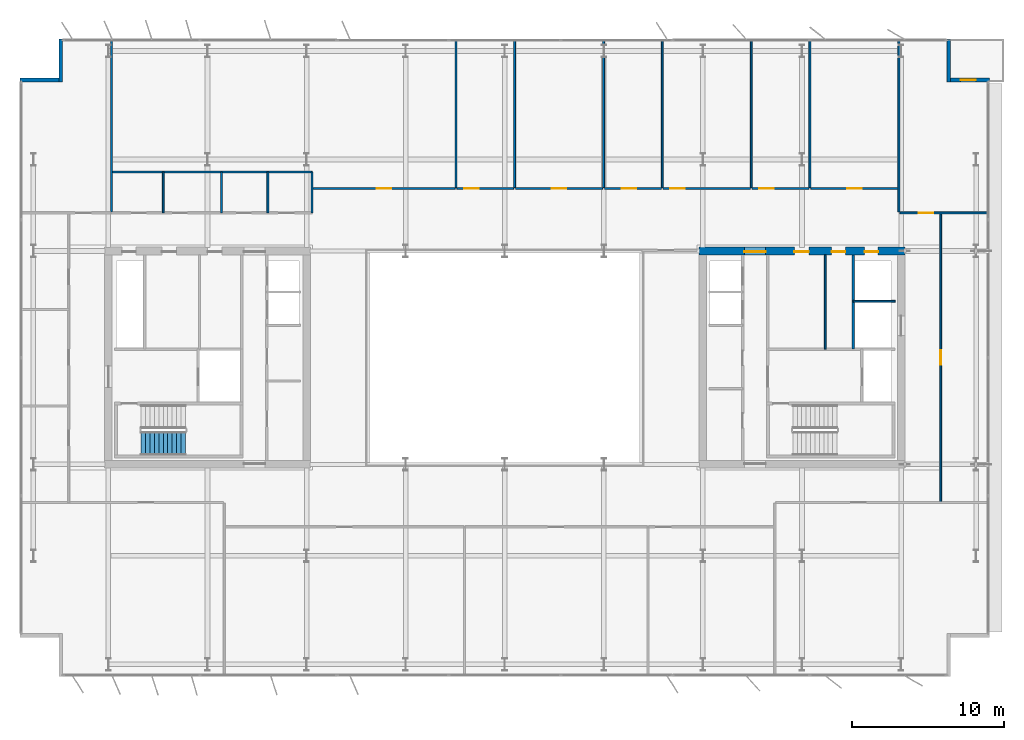
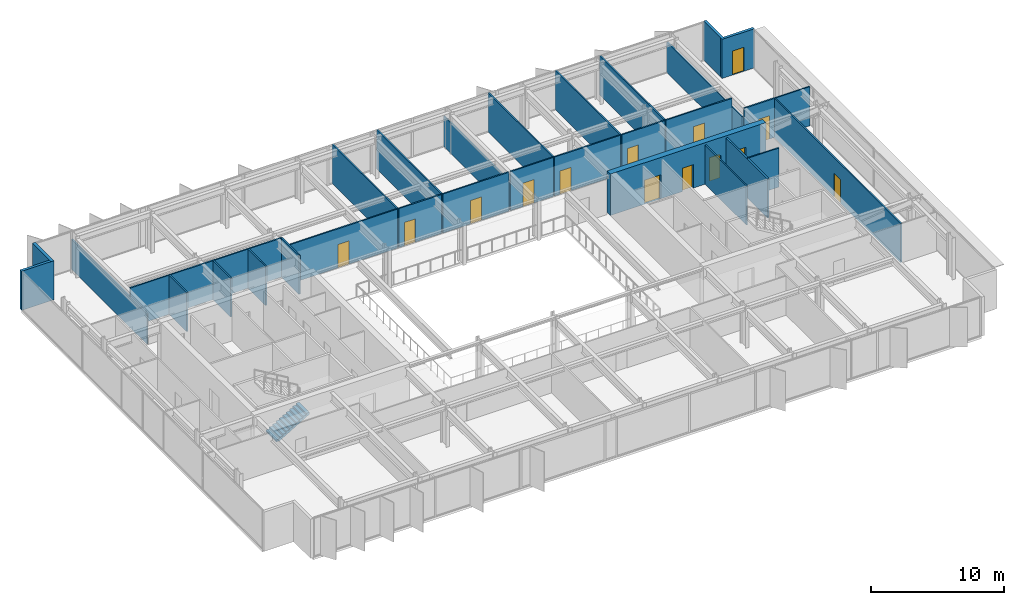
# One storey, part 13 of 19: 30 walls, 14 doors, 1 stair flight, 14 openings, 1 element without a shape of its own.
"""IFC4 building model written with IfcOpenShell, lengths in metres."""

from ifc_helpers import new_model, si_unit, direction, frame, frame_2d, origin, place, context, subcontext, project, spatial, polyline, rectangle, outline, extrude, material, layer, layer_set, type_object, element, fill, aggregate, save


model = new_model("IFC4")

# Units and contexts
model_context = context("Model", 3, precision=1e-05, world=origin(), true_north=direction((0.0, 1.0)))
body_context = subcontext(model_context, "Body", "Model", "MODEL_VIEW")
ifc_project = project(units=[si_unit("LENGTHUNIT", "METRE"), si_unit("AREAUNIT", "SQUARE_METRE"), si_unit("VOLUMEUNIT", "CUBIC_METRE"), si_unit("PLANEANGLEUNIT", "RADIAN"), si_unit("MASSUNIT", "GRAM", prefix="KILO")], contexts=[model_context])

# Site, building, storey
site_placement = place(None, origin())
site = spatial("IfcSite", under=ifc_project, at=site_placement, CompositionType="ELEMENT")
building_placement = place(site_placement, origin())
building = spatial("IfcBuilding", under=site, at=building_placement, Name="Putna Gate Headquarters", CompositionType="ELEMENT")
storey_placement = place(building_placement, frame((0.0, 0.0, 255.60009765625)))
storey = spatial("IfcBuildingStorey", under=building, at=storey_placement, Name="L64", CompositionType="ELEMENT", Elevation=255.60009765625)

# Wall, openings, doors
ifc_material_1 = material(Name="Concrete C50/60", Category="concrete")
ifc_layer_1 = layer(ifc_material_1, 0.5)
ifc_layer_set_1 = layer_set([ifc_layer_1], Name="Concrete C50/60")
wall_type_1 = type_object("IfcWallType", Name="WALL-CORE-500", PredefinedType="SHEAR", material=ifc_layer_set_1)
wall_1_placement = place(storey_placement, frame((51.75, 33.0, 0.0), z_axis=(0.0, 0.0, 1.0), x_axis=(1.0, 0.0, 0.0)))
wall_1 = element("IfcWall", 1, at=wall_1_placement, inside=storey, type_object=wall_type_1, Name="L64 EC Split Core Shear Wall N", PredefinedType="SHEAR", context=body_context, shape_type="SweptSolid", body=[
    extrude(rectangle(XDim=13.5, YDim=0.5, at=frame_2d((6.75, 0.0))), origin(), (0.0, 0.0, 1.0), 3.7998046875),
])
opening_1_placement = place(wall_1_placement, frame((2.969970703125, 0.0, 0.0)))
opening_1 = element("IfcOpeningElement", 2, at=opening_1_placement, cuts=wall_1, Name="Opening FDD-140", PredefinedType="OPENING", context=body_context, shape_type="SweptSolid", body=[
    extrude(rectangle(XDim=1.39990234375, YDim=2.199951171875, at=frame_2d((0.699951171875, 1.10009765625))), frame((0.0, 0.260009765625, 0.0), z_axis=(0.0, -1.0, 0.0), x_axis=(1.0, 0.0, 0.0)), (0.0, 0.0, 1.0), 0.52001953125),
])
opening_2_placement = place(wall_1_placement, frame((10.85009765625, 0.0, 0.0)))
opening_2 = element("IfcOpeningElement", 3, at=opening_2_placement, cuts=wall_1, Name="Opening RD-90", PredefinedType="OPENING", context=body_context, shape_type="SweptSolid", body=[
    extrude(rectangle(XDim=0.89990234375, YDim=2.14990234375, at=frame_2d((0.449951171875, 1.074951171875))), frame((0.0, 0.260009765625, 0.0), z_axis=(0.0, -1.0, 0.0), x_axis=(1.0, 0.0, 0.0)), (0.0, 0.0, 1.0), 0.52001953125),
])
opening_3_placement = place(wall_1_placement, frame((6.25, 0.0, 0.0)))
opening_3 = element("IfcOpeningElement", 4, at=opening_3_placement, cuts=wall_1, Name="Opening IDS-95", PredefinedType="OPENING", context=body_context, shape_type="SweptSolid", body=[
    extrude(rectangle(XDim=0.949951171875, YDim=2.14990234375, at=frame_2d((0.47509765625, 1.074951171875))), frame((0.0, 0.260009765625, 0.0), z_axis=(0.0, -1.0, 0.0), x_axis=(1.0, 0.0, 0.0)), (0.0, 0.0, 1.0), 0.52001953125),
])
opening_4_placement = place(wall_1_placement, frame((8.699951171875, 0.0, 0.0)))
opening_4 = element("IfcOpeningElement", 5, at=opening_4_placement, cuts=wall_1, Name="Opening IDS-90", PredefinedType="OPENING", context=body_context, shape_type="SweptSolid", body=[
    extrude(rectangle(XDim=0.89990234375, YDim=2.14990234375, at=frame_2d((0.449951171875, 1.074951171875))), frame((0.0, 0.260009765625, 0.0), z_axis=(0.0, -1.0, 0.0), x_axis=(1.0, 0.0, 0.0)), (0.0, 0.0, 1.0), 0.52001953125),
])
ifc_material_2 = material(Name="Double steel fire door", Category="steel")
door_type_1 = type_object("IfcDoorType", Name="DOOR-FIRE-DBL-1400", OperationType="DOUBLE_DOOR_SINGLE_SWING", PredefinedType="DOOR", material=ifc_material_2)
door_1_placement = place(opening_1_placement, origin())
door_1 = element("IfcDoor", 6, at=door_1_placement, inside=storey, type_object=door_type_1, Name="L64 East Lift Lobby North Door", OperationType="DOUBLE_DOOR_SINGLE_SWING", OverallHeight=2.199951171875, OverallWidth=1.39990234375, PredefinedType="DOOR", context=body_context, shape_type="SweptSolid", body=[
    extrude(rectangle(XDim=1.39990234375, YDim=2.199951171875, at=frame_2d((0.699951171875, 1.10009765625))), frame((0.0, -0.02490234375, 0.0), z_axis=(0.0, -1.0, 0.0), x_axis=(1.0, 0.0, 0.0)), (0.0, 0.0, 1.0), 0.050048828125),
])
fill(opening_1, door_1)
ifc_material_3 = material(Name="Fire-rated utility door")
door_type_2 = type_object("IfcDoorType", Name="DOOR-INT-900", OperationType="NOTDEFINED", PredefinedType="DOOR", material=ifc_material_3)
door_2_placement = place(opening_4_placement, origin())
door_2 = element("IfcDoor", 7, at=door_2_placement, inside=storey, type_object=door_type_2, Name="L64 Electrical Plant Door", OperationType="SINGLE_SWING_LEFT", OverallHeight=2.14990234375, OverallWidth=0.89990234375, PredefinedType="DOOR", context=body_context, shape_type="SweptSolid", body=[
    extrude(rectangle(XDim=0.89990234375, YDim=2.14990234375, at=frame_2d((0.449951171875, 1.074951171875))), frame((0.0, -0.02490234375, 0.0), z_axis=(0.0, -1.0, 0.0), x_axis=(1.0, 0.0, 0.0)), (0.0, 0.0, 1.0), 0.050048828125),
])
fill(opening_4, door_2)
ifc_material_4 = material(Name="Fire-rated service timber door", Category="wood")
door_type_3 = type_object("IfcDoorType", Name="DOOR-INT-950", OperationType="NOTDEFINED", PredefinedType="DOOR", material=ifc_material_4)
door_3_placement = place(opening_3_placement, origin())
door_3 = element("IfcDoor", 8, at=door_3_placement, inside=storey, type_object=door_type_3, Name="L64 East Store Door", OperationType="SINGLE_SWING_RIGHT", OverallHeight=2.14990234375, OverallWidth=0.949951171875, PredefinedType="DOOR", context=body_context, shape_type="SweptSolid", body=[
    extrude(rectangle(XDim=0.949951171875, YDim=2.14990234375, at=frame_2d((0.47509765625, 1.074951171875))), frame((0.0, -0.02490234375, 0.0), z_axis=(0.0, -1.0, 0.0), x_axis=(1.0, 0.0, 0.0)), (0.0, 0.0, 1.0), 0.050048828125),
])
fill(opening_3, door_3)
ifc_material_5 = material(Name="Steel riser access fire door", Category="steel")
door_type_4 = type_object("IfcDoorType", Name="DOOR-RISER-900", OperationType="NOTDEFINED", PredefinedType="DOOR", material=ifc_material_5)
door_4_placement = place(opening_2_placement, origin())
door_4 = element("IfcDoor", 9, at=door_4_placement, inside=storey, type_object=door_type_4, Name="L64 East Riser Access Door", OperationType="SINGLE_SWING_LEFT", OverallHeight=2.14990234375, OverallWidth=0.89990234375, PredefinedType="DOOR", context=body_context, shape_type="SweptSolid", body=[
    extrude(rectangle(XDim=0.89990234375, YDim=2.14990234375, at=frame_2d((0.449951171875, 1.074951171875))), frame((0.0, -0.02490234375, 0.0), z_axis=(0.0, -1.0, 0.0), x_axis=(1.0, 0.0, 0.0)), (0.0, 0.0, 1.0), 0.050048828125),
])
fill(opening_2, door_4)

# Walls
ifc_material_6 = material(Name="Precast concrete C40/50", Category="concrete")
ifc_layer_2 = layer(ifc_material_6, 0.239990234375)
ifc_layer_set_2 = layer_set([ifc_layer_2], Name="Precast concrete C40/50")
wall_type_2 = type_object("IfcWallType", Name="WALL-EXT-TERR-240", PredefinedType="STANDARD", material=ifc_layer_set_2)
wall_2_placement = place(storey_placement, frame((9.8798828125, 44.10009765625, 0.0), z_axis=(0.0, 0.0, 1.0), x_axis=(0.0, 1.0, 0.0)))
element("IfcWall", 10, at=wall_2_placement, inside=storey, type_object=wall_type_2, Name="L64 Corner Notch Return Wall NW-V", PredefinedType="STANDARD", context=body_context, shape_type="SweptSolid", body=[
    extrude(rectangle(XDim=2.7998046875, YDim=0.239990234375, at=frame_2d((1.39990234375, 0.0))), origin(), (0.0, 0.0, 1.0), 3.587890625),
])
wall_3_placement = place(storey_placement, frame((7.199951171875, 44.219970703125, 0.0), z_axis=(0.0, 0.0, 1.0), x_axis=(1.0, 0.0, 0.0)))
element("IfcWall", 11, at=wall_3_placement, inside=storey, type_object=wall_type_2, Name="L64 Corner Notch Return Wall NW-H", PredefinedType="STANDARD", context=body_context, shape_type="SweptSolid", body=[
    extrude(rectangle(XDim=2.800048828125, YDim=0.239990234375, at=frame_2d((1.39990234375, 0.0))), origin(), (0.0, 0.0, 1.0), 3.587890625),
])
wall_4_placement = place(storey_placement, frame((68.1201171875, 46.89990234375, 0.0), z_axis=(0.0, 0.0, 1.0), x_axis=(0.0, -1.0, 0.0)))
element("IfcWall", 12, at=wall_4_placement, inside=storey, type_object=wall_type_2, Name="L64 Corner Notch Return Wall NE-V", PredefinedType="STANDARD", context=body_context, shape_type="SweptSolid", body=[
    extrude(rectangle(XDim=2.7998046875, YDim=0.239990234375, at=frame_2d((1.39990234375, 0.0))), origin(), (0.0, 0.0, 1.0), 3.587890625),
])

# Wall, opening, door
wall_5_placement = place(storey_placement, frame((68.0, 44.219970703125, 0.0), z_axis=(0.0, 0.0, 1.0), x_axis=(1.0, 0.0, 0.0)))
wall_5 = element("IfcWall", 13, at=wall_5_placement, inside=storey, type_object=wall_type_2, Name="L64 Corner Notch Return Wall NE-H", PredefinedType="STANDARD", context=body_context, shape_type="SweptSolid", body=[
    extrude(rectangle(XDim=2.800048828125, YDim=0.239990234375, at=frame_2d((1.39990234375, 0.0))), origin(), (0.0, 0.0, 1.0), 3.587890625),
])
opening_5_placement = place(wall_5_placement, frame((0.89990234375, 0.0, 0.0)))
opening_5 = element("IfcOpeningElement", 14, at=opening_5_placement, cuts=wall_5, Name="Opening TRD-1", PredefinedType="OPENING", context=body_context, shape_type="SweptSolid", body=[
    extrude(rectangle(XDim=1.0, YDim=2.199951171875, at=frame_2d((0.5, 1.10009765625))), frame((0.0, 0.1298828125, 0.0), z_axis=(0.0, -1.0, 0.0), x_axis=(1.0, 0.0, 0.0)), (0.0, 0.0, 1.0), 0.260009765625),
])
ifc_material_7 = material(Name="Thermally broken bronze glazed terrace door")
door_type_5 = type_object("IfcDoorType", Name="DOOR-TERR-EXT-1000", OperationType="NOTDEFINED", PredefinedType="DOOR", material=ifc_material_7)
door_5_placement = place(opening_5_placement, origin())
door_5 = element("IfcDoor", 15, at=door_5_placement, inside=storey, type_object=door_type_5, Name="L64 Spiral Sky Terrace Door NE", OperationType="SINGLE_SWING_LEFT", OverallHeight=2.199951171875, OverallWidth=1.0, PredefinedType="DOOR", context=body_context, shape_type="SweptSolid", body=[
    extrude(rectangle(XDim=1.0, YDim=2.199951171875, at=frame_2d((0.5, 1.10009765625))), frame((0.0, 0.02490234375, 0.0), z_axis=(0.0, -1.0, 0.0), x_axis=(1.0, 0.0, 0.0)), (0.0, 0.0, 1.0), 0.050048828125),
])
fill(opening_5, door_5)

# Walls
ifc_material_8 = material(Name="Acoustic gypsum board on metal stud")
ifc_layer_3 = layer(ifc_material_8, 0.1201171875)
ifc_layer_set_3 = layer_set([ifc_layer_3], Name="Acoustic gypsum board on metal stud")
wall_type_3 = type_object("IfcWallType", Name="WALL-PART-120", PredefinedType="PARTITIONING", material=ifc_layer_set_3)
wall_6_placement = place(storey_placement, frame((13.199951171875, 35.56005859375, 0.0), z_axis=(0.0, 0.0, 1.0), x_axis=(0.0, 1.0, 0.0)))
element("IfcWall", 16, at=wall_6_placement, inside=storey, type_object=wall_type_3, Name="L64 Interior Wall PART-L64-NB-DIV-01", PredefinedType="PARTITIONING", context=body_context, shape_type="SweptSolid", body=[
    extrude(rectangle(XDim=11.31982421875, YDim=0.1201171875, at=frame_2d((5.659912109375, 0.0))), origin(), (0.0, 0.0, 1.0), 2.787841796875),
])
for number, where, z_axis, x_axis, name in (
    (17, (35.800048828125, 37.159912109375, 0.0), (0.0, 0.0, 1.0), (0.0, 1.0, 0.0), "L64 Interior Wall PART-L64-NB-DIV-02"),
    (18, (39.645263671875, 37.159912109375, 0.0), (0.0, 0.0, 1.0), (0.0, 1.0, 0.0), "L64 Interior Wall PART-L64-NB-DIV-03"),
):
    element("IfcWall", number, at=place(storey_placement, frame(where, z_axis=z_axis, x_axis=x_axis)), inside=storey, type_object=wall_type_3, Name=name, PredefinedType="PARTITIONING", context=body_context, shape_type="SweptSolid", body=[
        extrude(rectangle(XDim=9.719970703125, YDim=0.1201171875, at=frame_2d((4.85986328125, 0.0))), origin(), (0.0, 0.0, 1.0), 3.587890625),
    ])
wall_7_placement = place(storey_placement, frame((45.484130859375, 37.159912109375, 0.0), z_axis=(0.0, 0.0, 1.0), x_axis=(0.0, 1.0, 0.0)))
element("IfcWall", 19, at=wall_7_placement, inside=storey, type_object=wall_type_3, Name="L64 Interior Wall PART-L64-NB-DIV-04", PredefinedType="PARTITIONING", context=body_context, shape_type="SweptSolid", body=[
    extrude(rectangle(XDim=9.719970703125, YDim=0.1201171875, at=frame_2d((4.85986328125, 0.0))), origin(), (0.0, 0.0, 1.0), 2.787841796875),
])
for number, where, z_axis, x_axis, name in (
    (20, (49.3291015625, 37.159912109375, 0.0), (0.0, 0.0, 1.0), (0.0, 1.0, 0.0), "L64 Interior Wall PART-L64-NB-DIV-05"),
    (21, (55.168212890625, 37.159912109375, 0.0), (0.0, 0.0, 1.0), (0.0, 1.0, 0.0), "L64 Interior Wall PART-L64-NB-DIV-06"),
    (22, (59.01318359375, 37.159912109375, 0.0), (0.0, 0.0, 1.0), (0.0, 1.0, 0.0), "L64 Interior Wall PART-L64-NB-DIV-07"),
):
    element("IfcWall", number, at=place(storey_placement, frame(where, z_axis=z_axis, x_axis=x_axis)), inside=storey, type_object=wall_type_3, Name=name, PredefinedType="PARTITIONING", context=body_context, shape_type="SweptSolid", body=[
        extrude(rectangle(XDim=9.719970703125, YDim=0.1201171875, at=frame_2d((4.85986328125, 0.0))), origin(), (0.0, 0.0, 1.0), 3.587890625),
    ])
wall_8_placement = place(storey_placement, frame((64.852294921875, 35.56005859375, 0.0), z_axis=(0.0, 0.0, 1.0), x_axis=(0.0, 1.0, 0.0)))
element("IfcWall", 23, at=wall_8_placement, inside=storey, type_object=wall_type_3, Name="L64 Interior Wall PART-L64-NB-DIV-08", PredefinedType="PARTITIONING", context=body_context, shape_type="SweptSolid", body=[
    extrude(rectangle(XDim=11.31982421875, YDim=0.1201171875, at=frame_2d((5.659912109375, 0.0))), origin(), (0.0, 0.0, 1.0), 2.787841796875),
])
ifc_material_9 = material(Name="Fire-rated shaftwall gypsum board on metal stud")
ifc_layer_4 = layer(ifc_material_9, 0.1201171875)
ifc_layer_set_4 = layer_set([ifc_layer_4], Name="Fire-rated shaftwall gypsum board on metal stud")
wall_type_4 = type_object("IfcWallType", Name="WALL-PART-120-EI120", PredefinedType="PARTITIONING", material=ifc_layer_set_4)
wall_9_placement = place(storey_placement, frame((61.8701171875, 29.699951171875, 0.0), z_axis=(0.0, 0.0, 1.0), x_axis=(1.0, 0.0, 0.0)))
element("IfcWall", 24, at=wall_9_placement, inside=storey, type_object=wall_type_4, Name="L64 Interior Wall CWINT-L64-EC-LF15-N", PredefinedType="PARTITIONING", context=body_context, shape_type="SweptSolid", body=[
    extrude(rectangle(XDim=2.72998046875, YDim=0.1201171875, at=frame_2d((1.364990234375, 0.0))), origin(), (0.0, 0.0, 1.0), 3.587890625),
])
ifc_material_10 = material(Name="Fire-rated gypsum board on metal stud")
ifc_layer_5 = layer(ifc_material_10, 0.1201171875)
ifc_layer_set_5 = layer_set([ifc_layer_5], Name="Fire-rated gypsum board on metal stud")
wall_type_5 = type_object("IfcWallType", Name="WALL-PART-120-RATED", PredefinedType="PARTITIONING", material=ifc_layer_set_5)
wall_10_placement = place(storey_placement, frame((60.02001953125, 26.56005859375, 0.0), z_axis=(0.0, 0.0, 1.0), x_axis=(0.0, 1.0, 0.0)))
element("IfcWall", 25, at=wall_10_placement, inside=storey, type_object=wall_type_5, Name="L64 Interior Wall CWINT-L64-EC-K0-DIV", PredefinedType="PARTITIONING", context=body_context, shape_type="SweptSolid", body=[
    extrude(rectangle(XDim=6.18994140625, YDim=0.1201171875, at=frame_2d((3.094970703125, 0.0))), origin(), (0.0, 0.0, 1.0), 3.587890625),
])
wall_11_placement = place(storey_placement, frame((13.199951171875, 38.179931640625, 0.0), z_axis=(0.0, 0.0, 1.0), x_axis=(1.0, 0.0, 0.0)))
element("IfcWall", 26, at=wall_11_placement, inside=storey, type_object=wall_type_5, Name="L64 Interior Wall PART-L64-SAN-BACK", PredefinedType="PARTITIONING", context=body_context, shape_type="SweptSolid", body=[
    extrude(rectangle(XDim=13.16015625, YDim=0.1201171875, at=frame_2d((6.580078125, 0.0))), origin(), (0.0, 0.0, 1.0), 3.587890625),
])
for number, where, z_axis, x_axis, name in (
    (27, (16.60009765625, 35.5, 0.0), (0.0, 0.0, 1.0), (0.0, 1.0, 0.0), "L64 Interior Wall PART-L64-SAN-DIV-1"),
    (28, (20.419921875, 35.5, 0.0), (0.0, 0.0, 1.0), (0.0, 1.0, 0.0), "L64 Interior Wall PART-L64-SAN-DIV-2"),
    (29, (23.4599609375, 35.5, 0.0), (0.0, 0.0, 1.0), (0.0, 1.0, 0.0), "L64 Interior Wall PART-L64-SAN-DIV-3"),
    (30, (26.360107421875, 35.5, 0.0), (0.0, 0.0, 1.0), (0.0, 1.0, 0.0), "L64 Interior Wall PART-L64-SAN-DIV-4"),
):
    element("IfcWall", number, at=place(storey_placement, frame(where, z_axis=z_axis, x_axis=x_axis)), inside=storey, type_object=wall_type_5, Name=name, PredefinedType="PARTITIONING", context=body_context, shape_type="SweptSolid", body=[
        extrude(rectangle(XDim=2.679931640625, YDim=0.1201171875, at=frame_2d((1.33984375, 0.0))), origin(), (0.0, 0.0, 1.0), 3.587890625),
    ])

# Wall, opening, door
wall_12_placement = place(storey_placement, frame((26.419921875, 37.10009765625, 0.0), z_axis=(0.0, 0.0, 1.0), x_axis=(1.0, 0.0, 0.0)))
wall_12 = element("IfcWall", 31, at=wall_12_placement, inside=storey, type_object=wall_type_5, Name="L64 Interior Wall PART-L64-NB-CW-02", PredefinedType="PARTITIONING", context=body_context, shape_type="SweptSolid", body=[
    extrude(rectangle(XDim=9.320068359375, YDim=0.1201171875, at=frame_2d((4.66015625, 0.0))), origin(), (0.0, 0.0, 1.0), 3.587890625),
])
opening_6_placement = place(wall_12_placement, frame((4.18505859375, 0.0, 0.0)))
opening_6 = element("IfcOpeningElement", 32, at=opening_6_placement, cuts=wall_12, Name="Opening FD-95", PredefinedType="OPENING", context=body_context, shape_type="SweptSolid", body=[
    extrude(rectangle(XDim=0.949951171875, YDim=2.14990234375, at=frame_2d((0.47509765625, 1.074951171875))), frame((0.0, 0.070068359375, 0.0), z_axis=(0.0, -1.0, 0.0), x_axis=(1.0, 0.0, 0.0)), (0.0, 0.0, 1.0), 0.14013671875),
])
ifc_material_11 = material(Name="Acoustic timber fire door", Category="wood")
door_type_6 = type_object("IfcDoorType", Name="DOOR-FIRE-950", OperationType="NOTDEFINED", PredefinedType="DOOR", material=ifc_material_11)
door_6_placement = place(opening_6_placement, origin())
door_6 = element("IfcDoor", 33, at=door_6_placement, inside=storey, type_object=door_type_6, Name="L64 Primary Open Office Workplace Door", OperationType="SINGLE_SWING_LEFT", OverallHeight=2.14990234375, OverallWidth=0.949951171875, PredefinedType="DOOR", context=body_context, shape_type="SweptSolid", body=[
    extrude(rectangle(XDim=0.949951171875, YDim=2.14990234375, at=frame_2d((0.47509765625, 1.074951171875))), frame((0.0, 0.02490234375, 0.0), z_axis=(0.0, -1.0, 0.0), x_axis=(1.0, 0.0, 0.0)), (0.0, 0.0, 1.0), 0.050048828125),
])
fill(opening_6, door_6)

wall_13_placement = place(storey_placement, frame((35.860107421875, 37.10009765625, 0.0), z_axis=(0.0, 0.0, 1.0), x_axis=(1.0, 0.0, 0.0)))
wall_13 = element("IfcWall", 34, at=wall_13_placement, inside=storey, type_object=wall_type_5, Name="L64 Interior Wall PART-L64-NB-CW-03", PredefinedType="PARTITIONING", context=body_context, shape_type="SweptSolid", body=[
    extrude(rectangle(XDim=3.72509765625, YDim=0.1201171875, at=frame_2d((1.862548828125, 0.0))), origin(), (0.0, 0.0, 1.0), 3.587890625),
])
opening_7_placement = place(wall_13_placement, frame((0.47998046875, 0.0, 0.0)))
opening_7 = element("IfcOpeningElement", 35, at=opening_7_placement, cuts=wall_13, Name="Opening FD-95", PredefinedType="OPENING", context=body_context, shape_type="SweptSolid", body=[
    extrude(rectangle(XDim=0.949951171875, YDim=2.14990234375, at=frame_2d((0.47509765625, 1.074951171875))), frame((0.0, 0.070068359375, 0.0), z_axis=(0.0, -1.0, 0.0), x_axis=(1.0, 0.0, 0.0)), (0.0, 0.0, 1.0), 0.14013671875),
])
door_7_placement = place(opening_7_placement, origin())
door_7 = element("IfcDoor", 36, at=door_7_placement, inside=storey, type_object=door_type_6, Name="L64 Quiet Wellness Focus Studio 2 Door", OperationType="SINGLE_SWING_RIGHT", OverallHeight=2.14990234375, OverallWidth=0.949951171875, PredefinedType="DOOR", context=body_context, shape_type="SweptSolid", body=[
    extrude(rectangle(XDim=0.949951171875, YDim=2.14990234375, at=frame_2d((0.47509765625, 1.074951171875))), frame((0.0, 0.02490234375, 0.0), z_axis=(0.0, -1.0, 0.0), x_axis=(1.0, 0.0, 0.0)), (0.0, 0.0, 1.0), 0.050048828125),
])
fill(opening_7, door_7)

wall_14_placement = place(storey_placement, frame((39.705078125, 37.10009765625, 0.0), z_axis=(0.0, 0.0, 1.0), x_axis=(1.0, 0.0, 0.0)))
wall_14 = element("IfcWall", 37, at=wall_14_placement, inside=storey, type_object=wall_type_5, Name="L64 Interior Wall PART-L64-NB-CW-04", PredefinedType="PARTITIONING", context=body_context, shape_type="SweptSolid", body=[
    extrude(rectangle(XDim=5.718994140625, YDim=0.1201171875, at=frame_2d((2.859375, 0.0))), origin(), (0.0, 0.0, 1.0), 3.587890625),
])
opening_8_placement = place(wall_14_placement, frame((2.384521484375, 0.0, 0.0)))
opening_8 = element("IfcOpeningElement", 38, at=opening_8_placement, cuts=wall_14, Name="Opening FD-95", PredefinedType="OPENING", context=body_context, shape_type="SweptSolid", body=[
    extrude(rectangle(XDim=0.949951171875, YDim=2.14990234375, at=frame_2d((0.47509765625, 1.074951171875))), frame((0.0, 0.070068359375, 0.0), z_axis=(0.0, -1.0, 0.0), x_axis=(1.0, 0.0, 0.0)), (0.0, 0.0, 1.0), 0.14013671875),
])
door_8_placement = place(opening_8_placement, origin())
door_8 = element("IfcDoor", 39, at=door_8_placement, inside=storey, type_object=door_type_6, Name="L64 Cellular Office 1 Door", OperationType="SINGLE_SWING_LEFT", OverallHeight=2.14990234375, OverallWidth=0.949951171875, PredefinedType="DOOR", context=body_context, shape_type="SweptSolid", body=[
    extrude(rectangle(XDim=0.949951171875, YDim=2.14990234375, at=frame_2d((0.47509765625, 1.074951171875))), frame((0.0, 0.02490234375, 0.0), z_axis=(0.0, -1.0, 0.0), x_axis=(1.0, 0.0, 0.0)), (0.0, 0.0, 1.0), 0.050048828125),
])
fill(opening_8, door_8)

wall_15_placement = place(storey_placement, frame((45.544189453125, 37.10009765625, 0.0), z_axis=(0.0, 0.0, 1.0), x_axis=(1.0, 0.0, 0.0)))
wall_15 = element("IfcWall", 40, at=wall_15_placement, inside=storey, type_object=wall_type_5, Name="L64 Interior Wall PART-L64-NB-CW-05", PredefinedType="PARTITIONING", context=body_context, shape_type="SweptSolid", body=[
    extrude(rectangle(XDim=3.72509765625, YDim=0.1201171875, at=frame_2d((1.862548828125, 0.0))), origin(), (0.0, 0.0, 1.0), 3.587890625),
])
opening_9_placement = place(wall_15_placement, frame((1.117431640625, 0.0, 0.0)))
opening_9 = element("IfcOpeningElement", 41, at=opening_9_placement, cuts=wall_15, Name="Opening FD-95", PredefinedType="OPENING", context=body_context, shape_type="SweptSolid", body=[
    extrude(rectangle(XDim=0.949951171875, YDim=2.14990234375, at=frame_2d((0.47509765625, 1.074951171875))), frame((0.0, 0.070068359375, 0.0), z_axis=(0.0, -1.0, 0.0), x_axis=(1.0, 0.0, 0.0)), (0.0, 0.0, 1.0), 0.14013671875),
])
door_9_placement = place(opening_9_placement, origin())
door_9 = element("IfcDoor", 42, at=door_9_placement, inside=storey, type_object=door_type_6, Name="L64 Cellular Office 2 Door", OperationType="SINGLE_SWING_RIGHT", OverallHeight=2.14990234375, OverallWidth=0.949951171875, PredefinedType="DOOR", context=body_context, shape_type="SweptSolid", body=[
    extrude(rectangle(XDim=0.949951171875, YDim=2.14990234375, at=frame_2d((0.47509765625, 1.074951171875))), frame((0.0, 0.02490234375, 0.0), z_axis=(0.0, -1.0, 0.0), x_axis=(1.0, 0.0, 0.0)), (0.0, 0.0, 1.0), 0.050048828125),
])
fill(opening_9, door_9)

wall_16_placement = place(storey_placement, frame((49.38916015625, 37.10009765625, 0.0), z_axis=(0.0, 0.0, 1.0), x_axis=(1.0, 0.0, 0.0)))
wall_16 = element("IfcWall", 43, at=wall_16_placement, inside=storey, type_object=wall_type_5, Name="L64 Interior Wall PART-L64-NB-CW-06", PredefinedType="PARTITIONING", context=body_context, shape_type="SweptSolid", body=[
    extrude(rectangle(XDim=5.718994140625, YDim=0.1201171875, at=frame_2d((2.859375, 0.0))), origin(), (0.0, 0.0, 1.0), 3.587890625),
])
opening_10_placement = place(wall_16_placement, frame((0.47998046875, 0.0, 0.0)))
opening_10 = element("IfcOpeningElement", 44, at=opening_10_placement, cuts=wall_16, Name="Opening FD-95", PredefinedType="OPENING", context=body_context, shape_type="SweptSolid", body=[
    extrude(rectangle(XDim=0.949951171875, YDim=2.14990234375, at=frame_2d((0.47509765625, 1.074951171875))), frame((0.0, 0.070068359375, 0.0), z_axis=(0.0, -1.0, 0.0), x_axis=(1.0, 0.0, 0.0)), (0.0, 0.0, 1.0), 0.14013671875),
])
door_10_placement = place(opening_10_placement, origin())
door_10 = element("IfcDoor", 45, at=door_10_placement, inside=storey, type_object=door_type_6, Name="L64 Cellular Office 3 Door", OperationType="SINGLE_SWING_LEFT", OverallHeight=2.14990234375, OverallWidth=0.949951171875, PredefinedType="DOOR", context=body_context, shape_type="SweptSolid", body=[
    extrude(rectangle(XDim=0.949951171875, YDim=2.14990234375, at=frame_2d((0.47509765625, 1.074951171875))), frame((0.0, 0.02490234375, 0.0), z_axis=(0.0, -1.0, 0.0), x_axis=(1.0, 0.0, 0.0)), (0.0, 0.0, 1.0), 0.050048828125),
])
fill(opening_10, door_10)

wall_17_placement = place(storey_placement, frame((55.228271484375, 37.10009765625, 0.0), z_axis=(0.0, 0.0, 1.0), x_axis=(1.0, 0.0, 0.0)))
wall_17 = element("IfcWall", 46, at=wall_17_placement, inside=storey, type_object=wall_type_5, Name="L64 Interior Wall PART-L64-NB-CW-07", PredefinedType="PARTITIONING", context=body_context, shape_type="SweptSolid", body=[
    extrude(rectangle(XDim=3.72509765625, YDim=0.1201171875, at=frame_2d((1.862548828125, 0.0))), origin(), (0.0, 0.0, 1.0), 3.587890625),
])
opening_11_placement = place(wall_17_placement, frame((0.47998046875, 0.0, 0.0)))
opening_11 = element("IfcOpeningElement", 47, at=opening_11_placement, cuts=wall_17, Name="Opening FD-95", PredefinedType="OPENING", context=body_context, shape_type="SweptSolid", body=[
    extrude(rectangle(XDim=0.949951171875, YDim=2.14990234375, at=frame_2d((0.47509765625, 1.074951171875))), frame((0.0, 0.070068359375, 0.0), z_axis=(0.0, -1.0, 0.0), x_axis=(1.0, 0.0, 0.0)), (0.0, 0.0, 1.0), 0.14013671875),
])
door_11_placement = place(opening_11_placement, origin())
door_11 = element("IfcDoor", 48, at=door_11_placement, inside=storey, type_object=door_type_6, Name="L64 Cellular Office 4 Door", OperationType="SINGLE_SWING_RIGHT", OverallHeight=2.14990234375, OverallWidth=0.949951171875, PredefinedType="DOOR", context=body_context, shape_type="SweptSolid", body=[
    extrude(rectangle(XDim=0.949951171875, YDim=2.14990234375, at=frame_2d((0.47509765625, 1.074951171875))), frame((0.0, 0.02490234375, 0.0), z_axis=(0.0, -1.0, 0.0), x_axis=(1.0, 0.0, 0.0)), (0.0, 0.0, 1.0), 0.050048828125),
])
fill(opening_11, door_11)

wall_18_placement = place(storey_placement, frame((59.0732421875, 37.10009765625, 0.0), z_axis=(0.0, 0.0, 1.0), x_axis=(1.0, 0.0, 0.0)))
wall_18 = element("IfcWall", 49, at=wall_18_placement, inside=storey, type_object=wall_type_5, Name="L64 Interior Wall PART-L64-NB-CW-08", PredefinedType="PARTITIONING", context=body_context, shape_type="SweptSolid", body=[
    extrude(rectangle(XDim=5.718994140625, YDim=0.1201171875, at=frame_2d((2.859375, 0.0))), origin(), (0.0, 0.0, 1.0), 3.587890625),
])
opening_12_placement = place(wall_18_placement, frame((2.384521484375, 0.0, 0.0)))
opening_12 = element("IfcOpeningElement", 50, at=opening_12_placement, cuts=wall_18, Name="Opening FD-95", PredefinedType="OPENING", context=body_context, shape_type="SweptSolid", body=[
    extrude(rectangle(XDim=0.949951171875, YDim=2.14990234375, at=frame_2d((0.47509765625, 1.074951171875))), frame((0.0, 0.070068359375, 0.0), z_axis=(0.0, -1.0, 0.0), x_axis=(1.0, 0.0, 0.0)), (0.0, 0.0, 1.0), 0.14013671875),
])
door_12_placement = place(opening_12_placement, origin())
door_12 = element("IfcDoor", 51, at=door_12_placement, inside=storey, type_object=door_type_6, Name="L64 Cellular Office 5 Door", OperationType="SINGLE_SWING_LEFT", OverallHeight=2.14990234375, OverallWidth=0.949951171875, PredefinedType="DOOR", context=body_context, shape_type="SweptSolid", body=[
    extrude(rectangle(XDim=0.949951171875, YDim=2.14990234375, at=frame_2d((0.47509765625, 1.074951171875))), frame((0.0, 0.02490234375, 0.0), z_axis=(0.0, -1.0, 0.0), x_axis=(1.0, 0.0, 0.0)), (0.0, 0.0, 1.0), 0.050048828125),
])
fill(opening_12, door_12)

wall_19_placement = place(storey_placement, frame((64.912353515625, 35.5, 0.0), z_axis=(0.0, 0.0, 1.0), x_axis=(1.0, 0.0, 0.0)))
wall_19 = element("IfcWall", 52, at=wall_19_placement, inside=storey, type_object=wall_type_5, Name="L64 Interior Wall PART-L64-NB-CW-09", PredefinedType="PARTITIONING", context=body_context, shape_type="SweptSolid", body=[
    extrude(rectangle(XDim=5.707763671875, YDim=0.1201171875, at=frame_2d((2.85400390625, 0.0))), origin(), (0.0, 0.0, 1.0), 3.587890625),
])
opening_13_placement = place(wall_19_placement, frame((1.2578125, 0.0, 0.0)))
opening_13 = element("IfcOpeningElement", 53, at=opening_13_placement, cuts=wall_19, Name="Opening FD-95", PredefinedType="OPENING", context=body_context, shape_type="SweptSolid", body=[
    extrude(rectangle(XDim=0.949951171875, YDim=2.14990234375, at=frame_2d((0.47509765625, 1.074951171875))), frame((0.0, 0.070068359375, 0.0), z_axis=(0.0, -1.0, 0.0), x_axis=(1.0, 0.0, 0.0)), (0.0, 0.0, 1.0), 0.14013671875),
])
door_13_placement = place(opening_13_placement, origin())
door_13 = element("IfcDoor", 54, at=door_13_placement, inside=storey, type_object=door_type_6, Name="L64 Collaborative Breakout Lounge 2 Door", OperationType="SINGLE_SWING_RIGHT", OverallHeight=2.14990234375, OverallWidth=0.949951171875, PredefinedType="DOOR", context=body_context, shape_type="SweptSolid", body=[
    extrude(rectangle(XDim=0.949951171875, YDim=2.14990234375, at=frame_2d((0.47509765625, 1.074951171875))), frame((0.0, 0.02490234375, 0.0), z_axis=(0.0, -1.0, 0.0), x_axis=(1.0, 0.0, 0.0)), (0.0, 0.0, 1.0), 0.050048828125),
])
fill(opening_13, door_13)

wall_20_placement = place(storey_placement, frame((67.60009765625, 16.5, 0.0), z_axis=(0.0, 0.0, 1.0), x_axis=(0.0, 1.0, 0.0)))
wall_20 = element("IfcWall", 55, at=wall_20_placement, inside=storey, type_object=wall_type_5, Name="L64 Interior Wall PART-L64-EW-CW-1", PredefinedType="PARTITIONING", context=body_context, shape_type="SweptSolid", body=[
    extrude(rectangle(XDim=19.0, YDim=0.1201171875, at=frame_2d((9.5, 0.0))), origin(), (0.0, 0.0, 1.0), 3.587890625),
])
opening_14_placement = place(wall_20_placement, frame((9.02490234375, 0.0, 0.0)))
opening_14 = element("IfcOpeningElement", 56, at=opening_14_placement, cuts=wall_20, Name="Opening FD-95", PredefinedType="OPENING", context=body_context, shape_type="SweptSolid", body=[
    extrude(rectangle(XDim=0.949951171875, YDim=2.14990234375, at=frame_2d((0.47509765625, 1.074951171875))), frame((0.0, 0.070068359375, 0.0), z_axis=(0.0, -1.0, 0.0), x_axis=(1.0, 0.0, 0.0)), (0.0, 0.0, 1.0), 0.14013671875),
])
door_14_placement = place(opening_14_placement, origin())
door_14 = element("IfcDoor", 57, at=door_14_placement, inside=storey, type_object=door_type_6, Name="L64 East Advisory Office 1 Door", OperationType="SINGLE_SWING_LEFT", OverallHeight=2.14990234375, OverallWidth=0.949951171875, PredefinedType="DOOR", context=body_context, shape_type="SweptSolid", body=[
    extrude(rectangle(XDim=0.949951171875, YDim=2.14990234375, at=frame_2d((0.47509765625, 1.074951171875))), frame((0.0, 0.02490234375, 0.0), z_axis=(0.0, -1.0, 0.0), x_axis=(1.0, 0.0, 0.0)), (0.0, 0.0, 1.0), 0.050048828125),
])
fill(opening_14, door_14)

# Wall
ifc_material_12 = material(Name="Concrete C40/50", Category="concrete")
ifc_layer_6 = layer(ifc_material_12, 0.159912109375)
ifc_layer_set_6 = layer_set([ifc_layer_6], Name="Concrete C40/50")
wall_type_6 = type_object("IfcWallType", Name="WALL-SHAFT-160", PredefinedType="STANDARD", material=ifc_layer_set_6)
wall_21_placement = place(storey_placement, frame((61.8701171875, 26.56005859375, 0.0), z_axis=(0.0, 0.0, 1.0), x_axis=(0.0, 1.0, 0.0)))
element("IfcWall", 58, at=wall_21_placement, inside=storey, type_object=wall_type_6, Name="L64 Interior Wall CWINT-L64-EC-LF15-W", PredefinedType="STANDARD", context=body_context, shape_type="SweptSolid", body=[
    extrude(rectangle(XDim=6.18994140625, YDim=0.159912109375, at=frame_2d((3.094970703125, 0.0))), origin(), (0.0, 0.0, 1.0), 3.587890625),
])

# Stair, stair flight
stair_type = type_object("IfcStairType", Name="STAIR-ST1", PredefinedType="HALF_TURN_STAIR", material=ifc_material_12)
stair_placement = place(storey_placement, origin())
stair = element("IfcStair", 59, at=stair_placement, inside=storey, type_object=stair_type, Name="L64 West Core Exit Stair ST1", PredefinedType="HALF_TURN_STAIR")
stair_flight_type = type_object("IfcStairFlightType", Name="FLIGHT-ST1", PredefinedType="STRAIGHT", material=ifc_material_12)
stair_flight_placement = place(storey_placement, frame((15.14990234375, 20.375, 0.0), z_axis=(0.0, 0.0, 1.0), x_axis=(1.0, 0.0, 0.0)))
stair_flight = element("IfcStairFlight", 60, at=stair_flight_placement, type_object=stair_flight_type, Name="ST1 flight 1", NumberOfRisers=11, NumberOfTreads=10, PredefinedType="STRAIGHT", RiserHeight=0.172727273, TreadLength=0.29, context=body_context, shape_type="SweptSolid", body=[
    extrude(outline(polyline([(0.0, 0.0), (0.0, 0.172607421875), (0.2900390625, 0.172607421875), (0.2900390625, 0.345458984375), (0.580078125, 0.345458984375), (0.580078125, 0.51806640625), (0.8701171875, 0.51806640625), (0.8701171875, 0.69091796875), (1.159912109375, 0.69091796875), (1.159912109375, 0.863525390625), (1.449951171875, 0.863525390625), (1.449951171875, 1.036376953125), (1.739990234375, 1.036376953125), (1.739990234375, 1.208984375), (2.030029296875, 1.208984375), (2.030029296875, 1.3818359375), (2.320068359375, 1.3818359375), (2.320068359375, 1.554443359375), (2.610107421875, 1.554443359375), (2.610107421875, 1.727294921875), (2.89990234375, 1.727294921875), (2.89990234375, 1.89990234375), (2.89990234375, 1.552734375), (0.29296875, 0.0), (0.0, 0.0)])), frame((0.0, 0.77490234375, 0.0), z_axis=(0.0, -1.0, 0.0), x_axis=(1.0, 0.0, 0.0)), (0.0, 0.0, 1.0), 1.550048828125),
])
aggregate(stair, [stair_flight])

save(model, "model.ifc")
